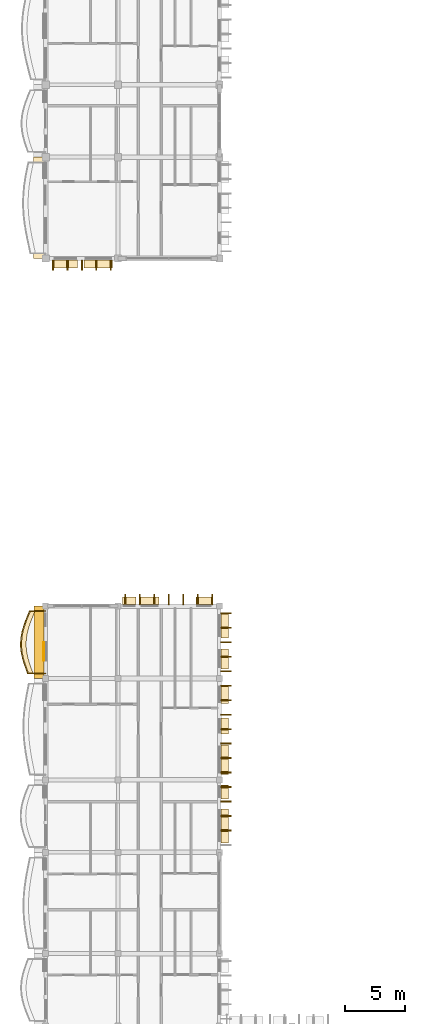
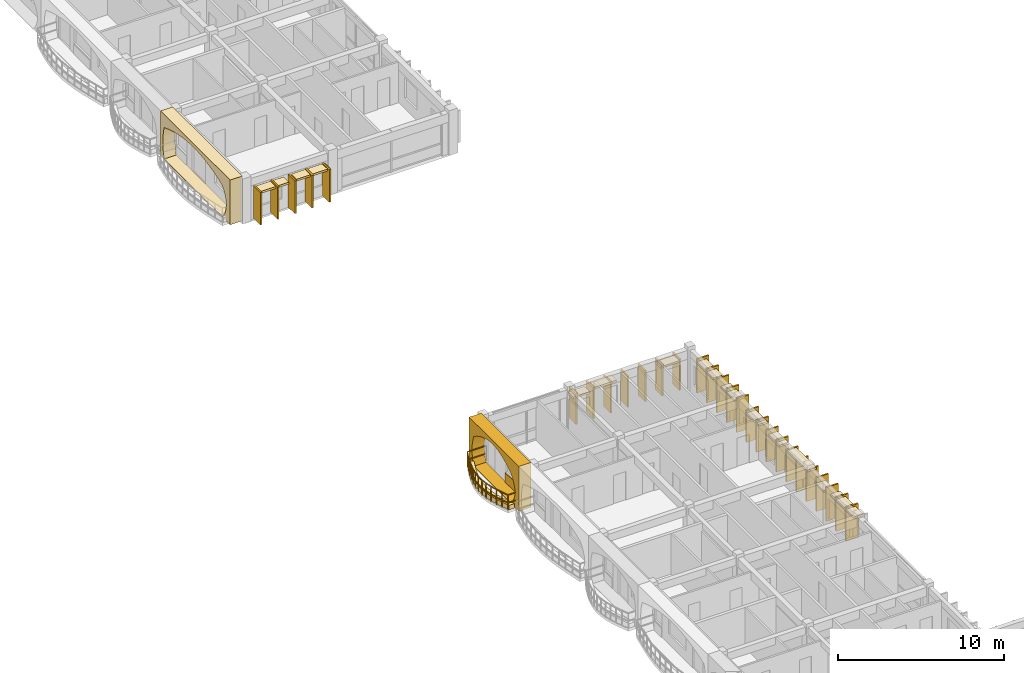
# One storey, part 52 of 68: 44 coverings, 1 railing.
"""IFC4 building model written with IfcOpenShell, lengths in metres."""

from ifc_helpers import new_model, si_unit, direction, frame, origin, origin_2d, place, context, subcontext, project, spatial, polyline, rectangle, outline, extrude, material, layer, layer_set, type_object, element, save


model = new_model("IFC4")

# Units and contexts
model_context = context("Model", 3, precision=1e-05, world=origin(), true_north=direction((0.0, 1.0)))
body_context = subcontext(model_context, "Body", "Model", "MODEL_VIEW")
ifc_project = project(units=[si_unit("LENGTHUNIT", "METRE"), si_unit("AREAUNIT", "SQUARE_METRE"), si_unit("VOLUMEUNIT", "CUBIC_METRE"), si_unit("PLANEANGLEUNIT", "RADIAN"), si_unit("MASSUNIT", "GRAM", prefix="KILO"), si_unit("THERMODYNAMICTEMPERATUREUNIT", "KELVIN")], contexts=[model_context])

# Site, building, storey
site_placement = place(None, origin())
site = spatial("IfcSite", under=ifc_project, at=site_placement, CompositionType="ELEMENT")
building_placement = place(site_placement, origin())
building = spatial("IfcBuilding", under=site, at=building_placement, Name="Thalorik Housing Commons", CompositionType="ELEMENT")
storey_placement = place(building_placement, frame((0.0, 0.0, 24.60009765625)))
storey = spatial("IfcBuildingStorey", under=building, at=storey_placement, Name="L07", CompositionType="ELEMENT", Elevation=24.60009765625)

# Coverings
ifc_material_1 = material(Name="Cobalt blue glazed ceramic facade tile panel", Category="masonry")
ifc_layer_1 = layer(ifc_material_1, 0.06005859375, Name="Cobalt blue glazed ceramic facade tile panel", Category="masonry")
ifc_layer_set_1 = layer_set([ifc_layer_1], Name="Cobalt blue glazed ceramic facade tile panel")
covering_type_1 = type_object("IfcCoveringType", Name="ARC-CLD-BLU-60", PredefinedType="CLADDING", material=ifc_layer_set_1)
covering_1_placement = place(storey_placement, frame((8.242431640625, 53.8349609375, 0.0498046875), z_axis=(0.0, 0.0, 1.0), x_axis=(0.0, -1.0, 0.0)))
element("IfcCovering", 1, at=covering_1_placement, inside=storey, type_object=covering_type_1, Name="L07 De Stijl Recessed Window Spandrel 4199", PredefinedType="CLADDING", context=body_context, shape_type="SweptSolid", body=[
    extrude(rectangle(XDim=1.550048828125, YDim=0.06005859375, at=origin_2d()), origin(), (0.0, 0.0, 1.0), 0.699951171875),
])
ifc_material_2 = material(Name="Precast concrete C40/50", Category="concrete")
ifc_layer_2 = layer(ifc_material_2, 0.85009765625, Name="Precast concrete C40/50", Category="concrete")
ifc_layer_set_2 = layer_set([ifc_layer_2], Name="Precast concrete C40/50")
covering_type_2 = type_object("IfcCoveringType", Name="ARC-CLD-CUSH-850", PredefinedType="CLADDING", material=ifc_layer_set_2)
covering_2_placement = place(storey_placement, frame((7.83740234375, 90.60009765625, 0.0), z_axis=(0.0, 0.0, 1.0), x_axis=(0.0, -1.0, 0.0)))
element("IfcCovering", 2, at=covering_2_placement, inside=storey, type_object=covering_type_2, Name="L07 White Precast Curved Cushion Bay Frame 775", PredefinedType="CLADDING", context=body_context, shape_type="SweptSolid", body=[
    extrude(outline(polyline([(-4.199951171875, 0.0), (4.199951171875, 0.0), (4.199951171875, 3.300048828125), (-4.199951171875, 3.300048828125), (-4.199951171875, 0.0)]), holes=[polyline([(3.239990234375, 0.02490234375), (3.523193359375, 0.410888671875), (3.693359375, 0.796630859375), (3.75, 1.1826171875), (3.693359375, 1.568359375), (3.523193359375, 1.9541015625), (3.239990234375, 2.340087890625), (2.656494140625, 2.552978515625), (2.072998046875, 2.720458984375), (1.489501953125, 2.85595703125), (0.90576171875, 2.956787109375), (0.322265625, 3.01904296875), (-0.26123046875, 3.0400390625), (-0.8447265625, 3.01904296875), (-1.42822265625, 2.956787109375), (-2.011962890625, 2.85595703125), (-2.595458984375, 2.720458984375), (-3.178955078125, 2.552978515625), (-3.762451171875, 2.340087890625), (-3.85498046875, 1.9541015625), (-3.910400390625, 1.568359375), (-3.9287109375, 1.1826171875), (-3.910400390625, 0.796630859375), (-3.85498046875, 0.410888671875), (-3.762451171875, 0.02490234375), (3.239990234375, 0.02490234375)])]), frame((0.0, 0.425048828125, 0.0), z_axis=(0.0, -1.0, 0.0), x_axis=(1.0, 0.0, 0.0)), (0.0, 0.0, 1.0), 0.85009765625),
])
covering_3_placement = place(storey_placement, frame((7.8525390625, 54.60009765625, 0.0), z_axis=(0.0, 0.0, 1.0), x_axis=(0.0, -1.0, 0.0)))
element("IfcCovering", 3, at=covering_3_placement, inside=storey, type_object=covering_type_2, Name="L07 White Precast Curved Cushion Bay Frame 4198", PredefinedType="CLADDING", context=body_context, shape_type="SweptSolid", body=[
    extrude(outline(polyline([(-3.0, 0.0), (3.0, 0.0), (3.0, 3.300048828125), (-3.0, 3.300048828125), (-3.0, 0.0)]), holes=[polyline([(2.0400390625, 0.02490234375), (2.3232421875, 0.390869140625), (2.493408203125, 0.756591796875), (2.550048828125, 1.12255859375), (2.493408203125, 1.48828125), (2.3232421875, 1.854248046875), (2.0400390625, 2.219970703125), (1.66748046875, 2.469482421875), (1.294921875, 2.66552734375), (0.922607421875, 2.824462890625), (0.550048828125, 2.9423828125), (0.177490234375, 3.015380859375), (-0.195068359375, 3.0400390625), (-0.5673828125, 3.015380859375), (-0.93994140625, 2.9423828125), (-1.3125, 2.824462890625), (-1.68505859375, 2.66552734375), (-2.0576171875, 2.469482421875), (-2.429931640625, 2.219970703125), (-2.55029296875, 1.854248046875), (-2.62255859375, 1.48828125), (-2.646484375, 1.12255859375), (-2.62255859375, 0.756591796875), (-2.55029296875, 0.390869140625), (-2.429931640625, 0.02490234375), (2.0400390625, 0.02490234375)])]), frame((0.0, 0.425048828125, 0.0), z_axis=(0.0, -1.0, 0.0), x_axis=(1.0, 0.0, 0.0)), (0.0, 0.0, 1.0), 0.85009765625),
])
ifc_layer_3 = layer(ifc_material_2, 0.85009765625, Name="Precast concrete C40/50", Category="concrete")
ifc_layer_set_3 = layer_set([ifc_layer_3], Name="Precast concrete C40/50")
covering_type_3 = type_object("IfcCoveringType", Name="ARC-CLD-FIN-850", PredefinedType="CLADDING", material=ifc_layer_set_3)
for number, where, z_axis, x_axis, name in (
    (4, (9.0, 85.83740234375, 0.039794921875), (0.0, 0.0, 1.0), (1.0, 0.0, 0.0), "L07 Courtyard Precast Vertical Brise-Soleil Fin 777"),
    (5, (10.199951171875, 85.83740234375, 0.039794921875), (0.0, 0.0, 1.0), (1.0, 0.0, 0.0), "L07 Courtyard Precast Vertical Brise-Soleil Fin 778"),
    (6, (11.39990234375, 85.83740234375, 0.039794921875), (0.0, 0.0, 1.0), (1.0, 0.0, 0.0), "L07 Courtyard Precast Vertical Brise-Soleil Fin 779"),
    (7, (12.60009765625, 85.83740234375, 0.039794921875), (0.0, 0.0, 1.0), (1.0, 0.0, 0.0), "L07 Courtyard Precast Vertical Brise-Soleil Fin 780"),
    (8, (13.800048828125, 85.83740234375, 0.039794921875), (0.0, 0.0, 1.0), (1.0, 0.0, 0.0), "L07 Courtyard Precast Vertical Brise-Soleil Fin 781"),
):
    element("IfcCovering", number, at=place(storey_placement, frame(where, z_axis=z_axis, x_axis=x_axis)), inside=storey, type_object=covering_type_3, Name=name, PredefinedType="CLADDING", context=body_context, shape_type="SweptSolid", body=[
        extrude(rectangle(XDim=0.110107421875, YDim=0.85009765625, at=origin_2d()), origin(), (0.0, 0.0, 1.0), 2.39501953125),
    ])
for number, where, z_axis, x_axis, name in (
    (9, (23.347412109375, 39.0, 0.039794921875), (0.0, 0.0, 1.0), (0.0, 1.0, 0.0), "L07 Courtyard Precast Vertical Brise-Soleil Fin 4165"),
    (10, (23.347412109375, 40.199951171875, 0.039794921875), (0.0, 0.0, 1.0), (0.0, 1.0, 0.0), "L07 Courtyard Precast Vertical Brise-Soleil Fin 4166"),
    (11, (23.347412109375, 41.39990234375, 0.039794921875), (0.0, 0.0, 1.0), (0.0, 1.0, 0.0), "L07 Courtyard Precast Vertical Brise-Soleil Fin 4167"),
    (12, (23.347412109375, 42.60009765625, 0.039794921875), (0.0, 0.0, 1.0), (0.0, 1.0, 0.0), "L07 Courtyard Precast Vertical Brise-Soleil Fin 4168"),
):
    element("IfcCovering", number, at=place(storey_placement, frame(where, z_axis=z_axis, x_axis=x_axis)), inside=storey, type_object=covering_type_3, Name=name, PredefinedType="CLADDING", context=body_context, shape_type="SweptSolid", body=[
        extrude(rectangle(XDim=0.110107421875, YDim=0.85009765625, at=origin_2d()), origin(), (0.0, 0.0, 1.0), 2.4951171875),
    ])
for number, where, z_axis, x_axis, name in (
    (13, (23.347412109375, 43.800048828125, 0.0400390625), (0.0, 0.0, 1.0), (0.0, 1.0, 0.0), "L07 Courtyard Precast Vertical Brise-Soleil Fin 4171"),
    (14, (23.347412109375, 45.0, 0.0400390625), (0.0, 0.0, 1.0), (0.0, 1.0, 0.0), "L07 Courtyard Precast Vertical Brise-Soleil Fin 4172"),
    (15, (23.347412109375, 46.199951171875, 0.0400390625), (0.0, 0.0, 1.0), (0.0, 1.0, 0.0), "L07 Courtyard Precast Vertical Brise-Soleil Fin 4173"),
    (16, (23.347412109375, 47.39990234375, 0.0400390625), (0.0, 0.0, 1.0), (0.0, 1.0, 0.0), "L07 Courtyard Precast Vertical Brise-Soleil Fin 4174"),
    (17, (23.347412109375, 48.60009765625, 0.0400390625), (0.0, 0.0, 1.0), (0.0, 1.0, 0.0), "L07 Courtyard Precast Vertical Brise-Soleil Fin 4175"),
    (18, (23.347412109375, 49.800048828125, 0.0400390625), (0.0, 0.0, 1.0), (0.0, 1.0, 0.0), "L07 Courtyard Precast Vertical Brise-Soleil Fin 4176"),
    (19, (23.347412109375, 51.0, 0.0400390625), (0.0, 0.0, 1.0), (0.0, 1.0, 0.0), "L07 Courtyard Precast Vertical Brise-Soleil Fin 4177"),
):
    element("IfcCovering", number, at=place(storey_placement, frame(where, z_axis=z_axis, x_axis=x_axis)), inside=storey, type_object=covering_type_3, Name=name, PredefinedType="CLADDING", context=body_context, shape_type="SweptSolid", body=[
        extrude(rectangle(XDim=0.110107421875, YDim=0.85009765625, at=origin_2d()), origin(), (0.0, 0.0, 1.0), 2.344970703125),
    ])
for number, where, z_axis, x_axis, name in (
    (20, (23.347412109375, 52.199951171875, 0.039794921875), (0.0, 0.0, 1.0), (0.0, 1.0, 0.0), "L07 Courtyard Precast Vertical Brise-Soleil Fin 4181"),
    (21, (23.347412109375, 53.39990234375, 0.039794921875), (0.0, 0.0, 1.0), (0.0, 1.0, 0.0), "L07 Courtyard Precast Vertical Brise-Soleil Fin 4182"),
    (22, (23.347412109375, 54.60009765625, 0.039794921875), (0.0, 0.0, 1.0), (0.0, 1.0, 0.0), "L07 Courtyard Precast Vertical Brise-Soleil Fin 4183"),
    (23, (23.347412109375, 55.800048828125, 0.039794921875), (0.0, 0.0, 1.0), (0.0, 1.0, 0.0), "L07 Courtyard Precast Vertical Brise-Soleil Fin 4184"),
    (24, (23.347412109375, 57.0, 0.039794921875), (0.0, 0.0, 1.0), (0.0, 1.0, 0.0), "L07 Courtyard Precast Vertical Brise-Soleil Fin 4185"),
):
    element("IfcCovering", number, at=place(storey_placement, frame(where, z_axis=z_axis, x_axis=x_axis)), inside=storey, type_object=covering_type_3, Name=name, PredefinedType="CLADDING", context=body_context, shape_type="SweptSolid", body=[
        extrude(rectangle(XDim=0.110107421875, YDim=0.85009765625, at=origin_2d()), origin(), (0.0, 0.0, 1.0), 2.4951171875),
    ])
for number, where, z_axis, x_axis, name in (
    (25, (22.199951171875, 58.1474609375, 0.0400390625), (0.0, 0.0, 1.0), (-1.0, 0.0, 0.0), "L07 Courtyard Precast Vertical Brise-Soleil Fin 4188"),
    (26, (21.0, 58.1474609375, 0.0400390625), (0.0, 0.0, 1.0), (-1.0, 0.0, 0.0), "L07 Courtyard Precast Vertical Brise-Soleil Fin 4189"),
    (27, (19.800048828125, 58.1474609375, 0.0400390625), (0.0, 0.0, 1.0), (-1.0, 0.0, 0.0), "L07 Courtyard Precast Vertical Brise-Soleil Fin 4190"),
    (28, (18.60009765625, 58.1474609375, 0.0400390625), (0.0, 0.0, 1.0), (-1.0, 0.0, 0.0), "L07 Courtyard Precast Vertical Brise-Soleil Fin 4191"),
    (29, (17.39990234375, 58.1474609375, 0.0400390625), (0.0, 0.0, 1.0), (-1.0, 0.0, 0.0), "L07 Courtyard Precast Vertical Brise-Soleil Fin 4192"),
    (30, (16.199951171875, 58.1474609375, 0.0400390625), (0.0, 0.0, 1.0), (-1.0, 0.0, 0.0), "L07 Courtyard Precast Vertical Brise-Soleil Fin 4193"),
    (31, (15.0, 58.1474609375, 0.0400390625), (0.0, 0.0, 1.0), (-1.0, 0.0, 0.0), "L07 Courtyard Precast Vertical Brise-Soleil Fin 4194"),
):
    element("IfcCovering", number, at=place(storey_placement, frame(where, z_axis=z_axis, x_axis=x_axis)), inside=storey, type_object=covering_type_3, Name=name, PredefinedType="CLADDING", context=body_context, shape_type="SweptSolid", body=[
        extrude(rectangle(XDim=0.110107421875, YDim=0.85009765625, at=origin_2d()), origin(), (0.0, 0.0, 1.0), 2.294921875),
    ])
ifc_layer_4 = layer(ifc_material_2, 0.64990234375, Name="Precast concrete C40/50", Category="concrete")
ifc_layer_set_4 = layer_set([ifc_layer_4], Name="Precast concrete C40/50")
covering_type_4 = type_object("IfcCoveringType", Name="ARC-CLD-HOOD-650", PredefinedType="CLADDING", material=ifc_layer_set_4)
covering_4_placement = place(storey_placement, frame((10.030029296875, 85.9375, 2.2099609375), z_axis=(0.0, 0.0, 1.0), x_axis=(1.0, 0.0, 0.0)))
element("IfcCovering", 32, at=covering_4_placement, inside=storey, type_object=covering_type_4, Name="L07 Courtyard Precast Window Sun-Hood 782", PredefinedType="CLADDING", context=body_context, shape_type="SweptSolid", body=[
    extrude(rectangle(XDim=2.02001953125, YDim=0.64990234375, at=origin_2d()), origin(), (0.0, 0.0, 1.0), 0.139892578125),
])
covering_5_placement = place(storey_placement, frame((12.77001953125, 85.9375, 2.22998046875), z_axis=(0.0, 0.0, 1.0), x_axis=(1.0, 0.0, 0.0)))
element("IfcCovering", 33, at=covering_5_placement, inside=storey, type_object=covering_type_4, Name="L07 Courtyard Precast Window Sun-Hood 783", PredefinedType="CLADDING", context=body_context, shape_type="SweptSolid", body=[
    extrude(rectangle(XDim=2.360107421875, YDim=0.64990234375, at=origin_2d()), origin(), (0.0, 0.0, 1.0), 0.139892578125),
])
covering_6_placement = place(storey_placement, frame((23.24755859375, 39.389892578125, 2.27001953125), z_axis=(0.0, 0.0, 1.0), x_axis=(0.0, 1.0, 0.0)))
element("IfcCovering", 34, at=covering_6_placement, inside=storey, type_object=covering_type_4, Name="L07 Courtyard Precast Window Sun-Hood 4169", PredefinedType="CLADDING", context=body_context, shape_type="SweptSolid", body=[
    extrude(rectangle(XDim=2.820068359375, YDim=0.64990234375, at=origin_2d()), origin(), (0.0, 0.0, 1.0), 0.139892578125),
])
covering_7_placement = place(storey_placement, frame((23.24755859375, 42.199951171875, 1.98974609375), z_axis=(0.0, 0.0, 1.0), x_axis=(0.0, 1.0, 0.0)))
element("IfcCovering", 35, at=covering_7_placement, inside=storey, type_object=covering_type_4, Name="L07 Courtyard Precast Window Sun-Hood 4170", PredefinedType="CLADDING", context=body_context, shape_type="SweptSolid", body=[
    extrude(rectangle(XDim=1.139892578125, YDim=0.64990234375, at=origin_2d()), origin(), (0.0, 0.0, 1.0), 0.139892578125),
])
covering_8_placement = place(storey_placement, frame((23.24755859375, 44.863037109375, 2.27001953125), z_axis=(0.0, 0.0, 1.0), x_axis=(0.0, 1.0, 0.0)))
element("IfcCovering", 36, at=covering_8_placement, inside=storey, type_object=covering_type_4, Name="L07 Courtyard Precast Window Sun-Hood 4178", PredefinedType="CLADDING", context=body_context, shape_type="SweptSolid", body=[
    extrude(rectangle(XDim=2.419921875, YDim=0.64990234375, at=origin_2d()), origin(), (0.0, 0.0, 1.0), 0.139892578125),
])
covering_9_placement = place(storey_placement, frame((23.24755859375, 47.6689453125, 2.08984375), z_axis=(0.0, 0.0, 1.0), x_axis=(0.0, 1.0, 0.0)))
element("IfcCovering", 37, at=covering_9_placement, inside=storey, type_object=covering_type_4, Name="L07 Courtyard Precast Window Sun-Hood 4179", PredefinedType="CLADDING", context=body_context, shape_type="SweptSolid", body=[
    extrude(rectangle(XDim=1.340087890625, YDim=0.64990234375, at=origin_2d()), origin(), (0.0, 0.0, 1.0), 0.139892578125),
])
covering_10_placement = place(storey_placement, frame((23.24755859375, 50.27587890625, 2.08984375), z_axis=(0.0, 0.0, 1.0), x_axis=(0.0, 1.0, 0.0)))
element("IfcCovering", 38, at=covering_10_placement, inside=storey, type_object=covering_type_4, Name="L07 Courtyard Precast Window Sun-Hood 4180", PredefinedType="CLADDING", context=body_context, shape_type="SweptSolid", body=[
    extrude(rectangle(XDim=1.489990234375, YDim=0.64990234375, at=origin_2d()), origin(), (0.0, 0.0, 1.0), 0.139892578125),
])
covering_11_placement = place(storey_placement, frame((23.24755859375, 53.22998046875, 2.169921875), z_axis=(0.0, 0.0, 1.0), x_axis=(0.0, 1.0, 0.0)))
element("IfcCovering", 39, at=covering_11_placement, inside=storey, type_object=covering_type_4, Name="L07 Courtyard Precast Window Sun-Hood 4186", PredefinedType="CLADDING", context=body_context, shape_type="SweptSolid", body=[
    extrude(rectangle(XDim=1.659912109375, YDim=0.64990234375, at=origin_2d()), origin(), (0.0, 0.0, 1.0), 0.139892578125),
])
covering_12_placement = place(storey_placement, frame((23.24755859375, 55.969970703125, 2.2099609375), z_axis=(0.0, 0.0, 1.0), x_axis=(0.0, 1.0, 0.0)))
element("IfcCovering", 40, at=covering_12_placement, inside=storey, type_object=covering_type_4, Name="L07 Courtyard Precast Window Sun-Hood 4187", PredefinedType="CLADDING", context=body_context, shape_type="SweptSolid", body=[
    extrude(rectangle(XDim=2.02001953125, YDim=0.64990234375, at=origin_2d()), origin(), (0.0, 0.0, 1.0), 0.139892578125),
])
covering_13_placement = place(storey_placement, frame((21.53271484375, 58.047607421875, 2.08984375), z_axis=(0.0, 0.0, 1.0), x_axis=(-1.0, 0.0, 0.0)))
element("IfcCovering", 41, at=covering_13_placement, inside=storey, type_object=covering_type_4, Name="L07 Courtyard Precast Window Sun-Hood 4195", PredefinedType="CLADDING", context=body_context, shape_type="SweptSolid", body=[
    extrude(rectangle(XDim=1.340087890625, YDim=0.64990234375, at=origin_2d()), origin(), (0.0, 0.0, 1.0), 0.139892578125),
])
covering_14_placement = place(storey_placement, frame((17.030029296875, 58.047607421875, 2.18994140625), z_axis=(0.0, 0.0, 1.0), x_axis=(-1.0, 0.0, 0.0)))
element("IfcCovering", 42, at=covering_14_placement, inside=storey, type_object=covering_type_4, Name="L07 Courtyard Precast Window Sun-Hood 4196", PredefinedType="CLADDING", context=body_context, shape_type="SweptSolid", body=[
    extrude(rectangle(XDim=1.5400390625, YDim=0.64990234375, at=origin_2d()), origin(), (0.0, 0.0, 1.0), 0.139892578125),
])
covering_15_placement = place(storey_placement, frame((15.3349609375, 58.047607421875, 1.98974609375), z_axis=(0.0, 0.0, 1.0), x_axis=(-1.0, 0.0, 0.0)))
element("IfcCovering", 43, at=covering_15_placement, inside=storey, type_object=covering_type_4, Name="L07 Courtyard Precast Window Sun-Hood 4197", PredefinedType="CLADDING", context=body_context, shape_type="SweptSolid", body=[
    extrude(rectangle(XDim=1.139892578125, YDim=0.64990234375, at=origin_2d()), origin(), (0.0, 0.0, 1.0), 0.139892578125),
])
ifc_material_3 = material(Name="Planted vegetated substrate and terracotta trough", Category="masonry")
ifc_layer_5 = layer(ifc_material_3, 0.340087890625, Name="Planted vegetated substrate and terracotta trough", Category="masonry")
ifc_layer_set_5 = layer_set([ifc_layer_5], Name="Planted vegetated substrate and terracotta trough")
covering_type_5 = type_object("IfcCoveringType", Name="ARC-COV-PLANTER", PredefinedType="USERDEFINED", material=ifc_layer_set_5)
covering_16_placement = place(storey_placement, origin())
element("IfcCovering", 44, at=covering_16_placement, inside=storey, type_object=covering_type_5, Name="L07 Balcony Slab-Edge Planted Trough 5621", ObjectType="PLANTER", PredefinedType="USERDEFINED", context=body_context, shape_type="SweptSolid", body=[
    extrude(outline(polyline([(7.140625, 57.179931640625), (6.960693359375, 56.75), (6.790771484375, 56.320068359375), (6.64208984375, 55.889892578125), (6.5234375, 55.4599609375), (6.44287109375, 55.030029296875), (6.40478515625, 54.60009765625), (6.41162109375, 54.169921875), (6.4619140625, 53.739990234375), (6.55224609375, 53.31005859375), (6.676025390625, 52.8798828125), (6.824951171875, 52.449951171875), (6.98876953125, 52.02001953125), (7.368896484375, 52.02001953125), (7.205078125, 52.449951171875), (7.05615234375, 52.8798828125), (6.93212890625, 53.31005859375), (6.841796875, 53.739990234375), (6.79150390625, 54.169921875), (6.784912109375, 54.60009765625), (6.822998046875, 55.030029296875), (6.903564453125, 55.4599609375), (7.02197265625, 55.889892578125), (7.1708984375, 56.320068359375), (7.3408203125, 56.75), (7.520751953125, 57.179931640625), (7.140625, 57.179931640625)])), origin(), (0.0, 0.0, 1.0), 0.33984375),
])

# Railing
ifc_material_4 = material(Name="Steel S355", Category="steel")
railing_type = type_object("IfcRailingType", Name="ARC-RL-BAL-115", PredefinedType="BALUSTRADE", material=ifc_material_4)
railing_placement = place(storey_placement, frame((8.39990234375, 57.179931640625, 0.0)))
element("IfcRailing", 45, at=railing_placement, inside=storey, type_object=railing_type, Name="L07 Cushion Balcony Guardrail 305", PredefinedType="BALUSTRADE", context=body_context, shape_type="SweptSolid", body=[
    extrude(rectangle(XDim=0.050048828125, YDim=0.050048828125, at=origin_2d()), frame((0.0, 0.0, 1.125), z_axis=(-1.0, 0.0, 0.0), x_axis=(0.0, -1.0, 0.0)), (0.0, 0.0, 1.0), 1.3291015625),
    extrude(rectangle(XDim=0.050048828125, YDim=0.050048828125, at=origin_2d()), frame((0.0, 0.0, 0.5498046875), z_axis=(-1.0, 0.0, 0.0), x_axis=(0.0, -1.0, 0.0)), (0.0, 0.0, 1.0), 1.3291015625),
    extrude(rectangle(XDim=0.050048828125, YDim=0.050048828125, at=origin_2d()), frame((-1.3291015625, 0.0, 1.125), z_axis=(-0.386511149365, -0.922284734459, 0.0), x_axis=(0.922284734459, -0.386511149365, 0.0)), (0.0, 0.0, 1.0), 0.466064453125),
    extrude(rectangle(XDim=0.050048828125, YDim=0.050048828125, at=origin_2d()), frame((-1.3291015625, 0.0, 0.5498046875), z_axis=(-0.386511149365, -0.922284734459, 0.0), x_axis=(0.922284734459, -0.386511149365, 0.0)), (0.0, 0.0, 1.0), 0.466064453125),
    extrude(rectangle(XDim=0.050048828125, YDim=0.050048828125, at=origin_2d()), frame((-1.50927734375, -0.429931640625, 1.125), z_axis=(-0.367563294414, -0.929998507848, 0.0), x_axis=(0.929998507848, -0.367563294414, 0.0)), (0.0, 0.0, 1.0), 0.46240234375),
    extrude(rectangle(XDim=0.050048828125, YDim=0.050048828125, at=origin_2d()), frame((-1.50927734375, -0.429931640625, 0.5498046875), z_axis=(-0.367563294414, -0.929998507848, 0.0), x_axis=(0.929998507848, -0.367563294414, 0.0)), (0.0, 0.0, 1.0), 0.46240234375),
    extrude(rectangle(XDim=0.050048828125, YDim=0.050048828125, at=origin_2d()), frame((-1.67919921875, -0.85986328125, 1.125), z_axis=(-0.326668369043, -0.945139025047, 0.0), x_axis=(0.945139025047, -0.326668369043, 0.0)), (0.0, 0.0, 1.0), 0.455078125),
    extrude(rectangle(XDim=0.050048828125, YDim=0.050048828125, at=origin_2d()), frame((-1.67919921875, -0.85986328125, 0.5498046875), z_axis=(-0.326668369043, -0.945139025047, 0.0), x_axis=(0.945139025047, -0.326668369043, 0.0)), (0.0, 0.0, 1.0), 0.455078125),
    extrude(rectangle(XDim=0.050048828125, YDim=0.050048828125, at=origin_2d()), frame((-1.827880859375, -1.2900390625, 1.125), z_axis=(-0.265525476527, -0.964103843637, 0.0), x_axis=(0.964103843637, -0.265525476527, 0.0)), (0.0, 0.0, 1.0), 0.446044921875),
    extrude(rectangle(XDim=0.050048828125, YDim=0.050048828125, at=origin_2d()), frame((-1.827880859375, -1.2900390625, 0.5498046875), z_axis=(-0.265525476527, -0.964103843637, 0.0), x_axis=(0.964103843637, -0.265525476527, 0.0)), (0.0, 0.0, 1.0), 0.446044921875),
    extrude(rectangle(XDim=0.050048828125, YDim=0.050048828125, at=origin_2d()), frame((-1.9462890625, -1.719970703125, 1.125), z_axis=(-0.184726561835, -0.982789955867, 0.0), x_axis=(0.982789955867, -0.184726561835, 0.0)), (0.0, 0.0, 1.0), 0.4375),
    extrude(rectangle(XDim=0.050048828125, YDim=0.050048828125, at=origin_2d()), frame((-1.9462890625, -1.719970703125, 0.5498046875), z_axis=(-0.184726561835, -0.982789955867, 0.0), x_axis=(0.982789955867, -0.184726561835, 0.0)), (0.0, 0.0, 1.0), 0.4375),
    extrude(rectangle(XDim=0.050048828125, YDim=0.050048828125, at=origin_2d()), frame((-2.027099609375, -2.14990234375, 1.125), z_axis=(-0.087679192705, -0.996148763572, 0.0), x_axis=(0.996148763572, -0.087679192705, 0.0)), (0.0, 0.0, 1.0), 0.431640625),
    extrude(rectangle(XDim=0.050048828125, YDim=0.050048828125, at=origin_2d()), frame((-2.027099609375, -2.14990234375, 0.5498046875), z_axis=(-0.087679192705, -0.996148763572, 0.0), x_axis=(0.996148763572, -0.087679192705, 0.0)), (0.0, 0.0, 1.0), 0.431640625),
    extrude(rectangle(XDim=0.050048828125, YDim=0.050048828125, at=origin_2d()), frame((-2.06494140625, -2.579833984375, 1.125), z_axis=(0.015321697293, -0.999882615907, 0.0), x_axis=(0.999882615907, 0.015321697293, 0.0)), (0.0, 0.0, 1.0), 0.43017578125),
    extrude(rectangle(XDim=0.050048828125, YDim=0.050048828125, at=origin_2d()), frame((-2.06494140625, -2.579833984375, 0.5498046875), z_axis=(0.015321697293, -0.999882615907, 0.0), x_axis=(0.999882615907, 0.015321697293, 0.0)), (0.0, 0.0, 1.0), 0.43017578125),
    extrude(rectangle(XDim=0.050048828125, YDim=0.050048828125, at=origin_2d()), frame((-2.058349609375, -3.010009765625, 1.125), z_axis=(0.116186735796, -0.99322738707, 0.0), x_axis=(0.99322738707, 0.116186735796, 0.0)), (0.0, 0.0, 1.0), 0.432861328125),
    extrude(rectangle(XDim=0.050048828125, YDim=0.050048828125, at=origin_2d()), frame((-2.058349609375, -3.010009765625, 0.5498046875), z_axis=(0.116186735796, -0.99322738707, 0.0), x_axis=(0.99322738707, 0.116186735796, 0.0)), (0.0, 0.0, 1.0), 0.432861328125),
    extrude(rectangle(XDim=0.050048828125, YDim=0.050048828125, at=origin_2d()), frame((-2.008056640625, -3.43994140625, 1.125), z_axis=(0.205618361249, -0.978632254484, 0.0), x_axis=(0.978632254484, 0.205618361249, 0.0)), (0.0, 0.0, 1.0), 0.439208984375),
    extrude(rectangle(XDim=0.050048828125, YDim=0.050048828125, at=origin_2d()), frame((-2.008056640625, -3.43994140625, 0.5498046875), z_axis=(0.205618361249, -0.978632254484, 0.0), x_axis=(0.978632254484, 0.205618361249, 0.0)), (0.0, 0.0, 1.0), 0.439208984375),
    extrude(rectangle(XDim=0.050048828125, YDim=0.050048828125, at=origin_2d()), frame((-1.917724609375, -3.869873046875, 1.125), z_axis=(0.277025108561, -0.960862679693, 0.0), x_axis=(0.960862679693, 0.277025108561, 0.0)), (0.0, 0.0, 1.0), 0.44775390625),
    extrude(rectangle(XDim=0.050048828125, YDim=0.050048828125, at=origin_2d()), frame((-1.917724609375, -3.869873046875, 0.5498046875), z_axis=(0.277025108561, -0.960862679693, 0.0), x_axis=(0.960862679693, 0.277025108561, 0.0)), (0.0, 0.0, 1.0), 0.44775390625),
    extrude(rectangle(XDim=0.050048828125, YDim=0.050048828125, at=origin_2d()), frame((-1.793701171875, -4.300048828125, 1.125), z_axis=(0.326834060317, -0.945081740918, 0.0), x_axis=(0.945081740918, 0.326834060317, 0.0)), (0.0, 0.0, 1.0), 0.454833984375),
    extrude(rectangle(XDim=0.050048828125, YDim=0.050048828125, at=origin_2d()), frame((-1.793701171875, -4.300048828125, 0.5498046875), z_axis=(0.326834060317, -0.945081740918, 0.0), x_axis=(0.945081740918, 0.326834060317, 0.0)), (0.0, 0.0, 1.0), 0.454833984375),
    extrude(rectangle(XDim=0.050048828125, YDim=0.050048828125, at=origin_2d()), frame((-1.64501953125, -4.72998046875, 1.125), z_axis=(0.35606152574, -0.934462513902, 0.0), x_axis=(0.934462513902, 0.35606152574, 0.0)), (0.0, 0.0, 1.0), 0.460205078125),
    extrude(rectangle(XDim=0.050048828125, YDim=0.050048828125, at=origin_2d()), frame((-1.64501953125, -4.72998046875, 0.5498046875), z_axis=(0.35606152574, -0.934462513902, 0.0), x_axis=(0.934462513902, 0.35606152574, 0.0)), (0.0, 0.0, 1.0), 0.460205078125),
    extrude(rectangle(XDim=0.050048828125, YDim=0.050048828125, at=origin_2d()), frame((-1.481201171875, -5.159912109375, 1.125), z_axis=(1.0, 0.0, 0.0), x_axis=(0.0, 1.0, 0.0)), (0.0, 0.0, 1.0), 1.481201171875),
    extrude(rectangle(XDim=0.050048828125, YDim=0.050048828125, at=origin_2d()), frame((-1.481201171875, -5.159912109375, 0.5498046875), z_axis=(1.0, 0.0, 0.0), x_axis=(0.0, 1.0, 0.0)), (0.0, 0.0, 1.0), 1.481201171875),
    extrude(rectangle(XDim=0.0419921875, YDim=0.0419921875, at=origin_2d()), origin(), (0.0, 0.0, 1.0), 1.099853515625),
    extrude(rectangle(XDim=0.0419921875, YDim=0.0419921875, at=origin_2d()), frame((-1.3291015625, 0.0, 0.0)), (0.0, 0.0, 1.0), 1.099853515625),
    extrude(rectangle(XDim=0.0419921875, YDim=0.0419921875, at=origin_2d()), frame((-1.50927734375, -0.429931640625, 0.0)), (0.0, 0.0, 1.0), 1.099853515625),
    extrude(rectangle(XDim=0.0419921875, YDim=0.0419921875, at=origin_2d()), frame((-1.67919921875, -0.85986328125, 0.0)), (0.0, 0.0, 1.0), 1.099853515625),
    extrude(rectangle(XDim=0.0419921875, YDim=0.0419921875, at=origin_2d()), frame((-1.827880859375, -1.2900390625, 0.0)), (0.0, 0.0, 1.0), 1.099853515625),
    extrude(rectangle(XDim=0.0419921875, YDim=0.0419921875, at=origin_2d()), frame((-1.9462890625, -1.719970703125, 0.0)), (0.0, 0.0, 1.0), 1.099853515625),
    extrude(rectangle(XDim=0.0419921875, YDim=0.0419921875, at=origin_2d()), frame((-2.027099609375, -2.14990234375, 0.0)), (0.0, 0.0, 1.0), 1.099853515625),
    extrude(rectangle(XDim=0.0419921875, YDim=0.0419921875, at=origin_2d()), frame((-2.06494140625, -2.579833984375, 0.0)), (0.0, 0.0, 1.0), 1.099853515625),
    extrude(rectangle(XDim=0.0419921875, YDim=0.0419921875, at=origin_2d()), frame((-2.058349609375, -3.010009765625, 0.0)), (0.0, 0.0, 1.0), 1.099853515625),
    extrude(rectangle(XDim=0.0419921875, YDim=0.0419921875, at=origin_2d()), frame((-2.008056640625, -3.43994140625, 0.0)), (0.0, 0.0, 1.0), 1.099853515625),
    extrude(rectangle(XDim=0.0419921875, YDim=0.0419921875, at=origin_2d()), frame((-1.917724609375, -3.869873046875, 0.0)), (0.0, 0.0, 1.0), 1.099853515625),
    extrude(rectangle(XDim=0.0419921875, YDim=0.0419921875, at=origin_2d()), frame((-1.793701171875, -4.300048828125, 0.0)), (0.0, 0.0, 1.0), 1.099853515625),
    extrude(rectangle(XDim=0.0419921875, YDim=0.0419921875, at=origin_2d()), frame((-1.64501953125, -4.72998046875, 0.0)), (0.0, 0.0, 1.0), 1.099853515625),
    extrude(rectangle(XDim=0.0419921875, YDim=0.0419921875, at=origin_2d()), frame((-1.481201171875, -5.159912109375, 0.0)), (0.0, 0.0, 1.0), 1.099853515625),
    extrude(rectangle(XDim=0.0419921875, YDim=0.0419921875, at=origin_2d()), frame((0.0, -5.159912109375, 0.0)), (0.0, 0.0, 1.0), 1.099853515625),
])

save(model, "model.ifc")
